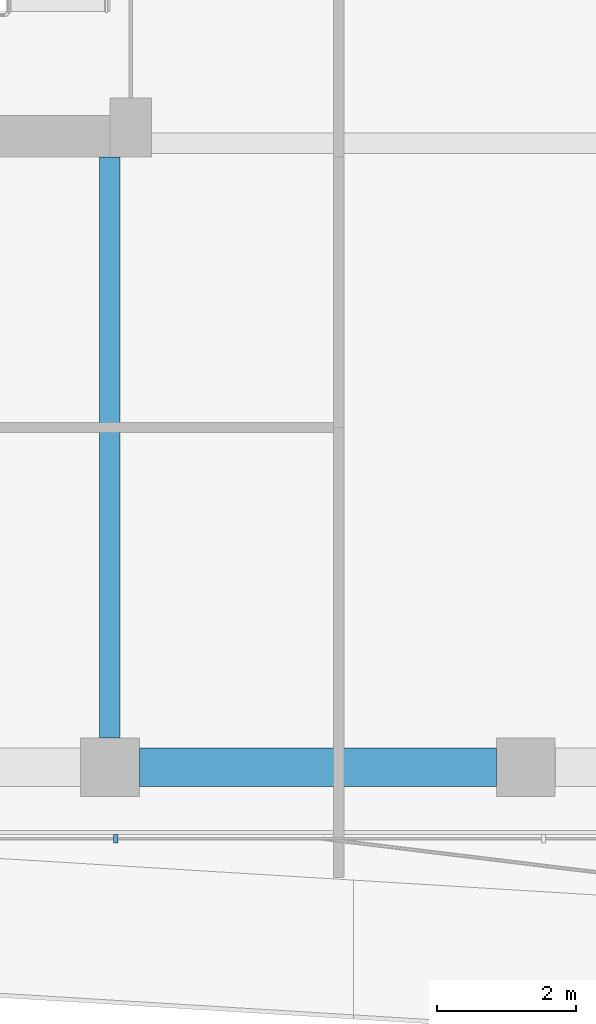
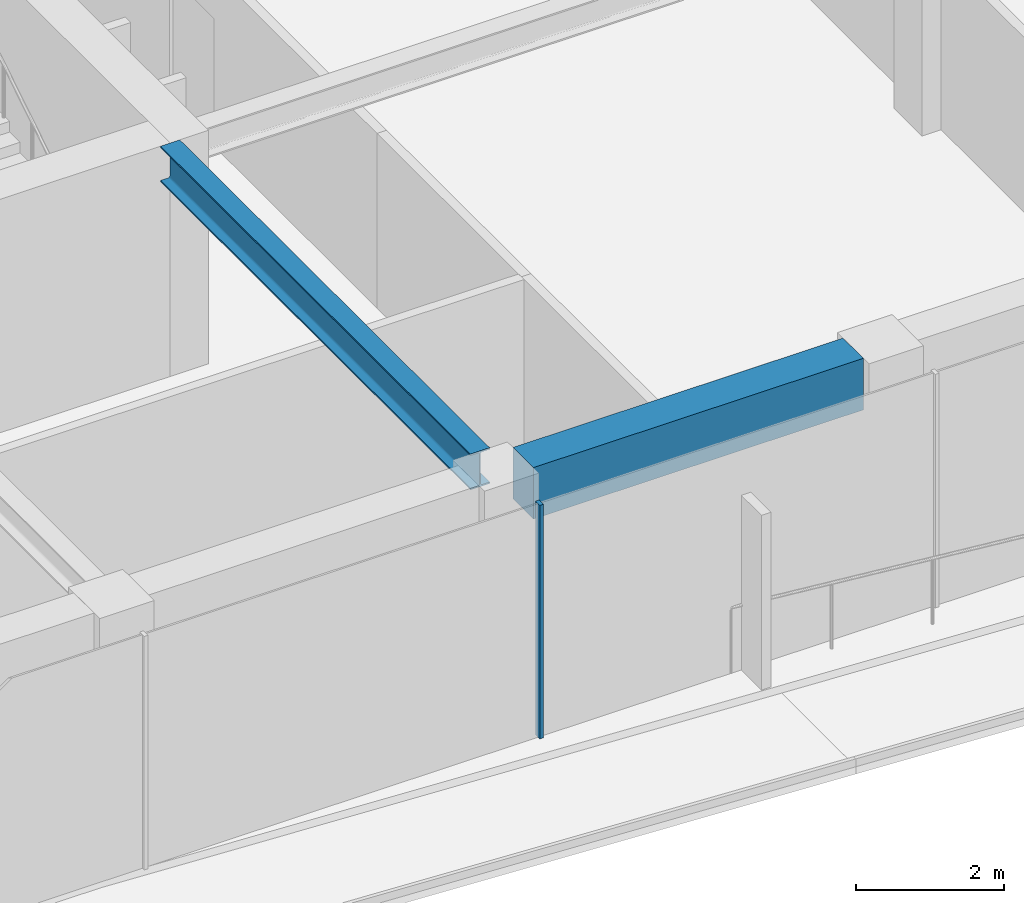
# One storey, part 4 of 22: 2 beams, 1 member, 1 element without a shape of its own.
"""IFC4 building model written with IfcOpenShell, lengths in metres."""

from ifc_helpers import new_model, si_unit, direction, frame, origin, origin_2d, place, context, subcontext, project, spatial, rectangle, i_section, extrude, material, layer, layer_set, material_profile, profile_set, type_object, element, aggregate, save


model = new_model("IFC4")

# Units and contexts
model_context = context("Model", 3, precision=1e-05, world=origin(), true_north=direction((0.0, 1.0)))
body_context = subcontext(model_context, "Body", "Model", "MODEL_VIEW")
ifc_project = project(units=[si_unit("LENGTHUNIT", "METRE"), si_unit("AREAUNIT", "SQUARE_METRE"), si_unit("VOLUMEUNIT", "CUBIC_METRE"), si_unit("PLANEANGLEUNIT", "RADIAN"), si_unit("MASSUNIT", "GRAM", prefix="KILO")], contexts=[model_context])

# Site, building, storey
site_placement = place(None, origin())
site = spatial("IfcSite", under=ifc_project, at=site_placement, CompositionType="ELEMENT")
building_placement = place(site_placement, origin())
building = spatial("IfcBuilding", under=site, at=building_placement, Name="Welwitschia Terrace Campus", CompositionType="ELEMENT")
storey_placement = place(building_placement, frame((0.0, 0.0, 155.0)))
storey = spatial("IfcBuildingStorey", under=building, at=storey_placement, Name="L34", CompositionType="ELEMENT", Elevation=155.0)

# Curtain wall, member
ifc_material_1 = material(Name="Bronze anodised aluminium", Category="aluminium")
ifc_layer = layer(ifc_material_1, 0.1201171875)
ifc_layer_set = layer_set([ifc_layer], Name="Bronze anodised aluminium")
curtain_wall_type = type_object("IfcCurtainWallType", Name="Curtain wall CW2 tower 6000", PredefinedType="NOTDEFINED", material=ifc_layer_set)
curtain_wall_placement = place(storey_placement, origin())
curtain_wall = element("IfcCurtainWall", 1, at=curtain_wall_placement, inside=storey, type_object=curtain_wall_type, Name="CW L34.2.0", PredefinedType="NOTDEFINED")
ifc_material_2 = material(Name="Bronze anodised aluminium", Category="aluminium")
ifc_material_profile_1 = material_profile(ifc_material_2, rectangle(XDim=0.1201171875, YDim=0.06005859375, at=origin_2d()))
ifc_profile_set_1 = profile_set([ifc_material_profile_1], Name="Bronze anodised aluminium")
member_type = type_object("IfcMemberType", Name="Mullion 60x120", PredefinedType="MULLION", material=ifc_profile_set_1)
member_placement = place(storey_placement, frame((24.08544921875, -5.030029296875, 0.0), z_axis=(0.0, 0.0, 1.0), x_axis=(0.0, 1.0, 0.0)))
member = element("IfcMember", 2, at=member_placement, type_object=member_type, Name="Mullion L34.2.0.3", PredefinedType="MULLION", context=body_context, shape_type="SweptSolid", body=[
    extrude(rectangle(XDim=0.1201171875, YDim=0.06005859375, at=origin_2d()), origin(), (0.0, 0.0, 1.0), 3.85009765625),
])
aggregate(curtain_wall, [member])

# Beams
ifc_material_3 = material(Name="Steel S355", Category="steel")
ifc_material_profile_2 = material_profile(ifc_material_3, i_section(OverallWidth=0.300048828125, OverallDepth=0.590087890625, WebThickness=0.012939453125, FlangeThickness=0.02490234375, FilletRadius=0.027099609375, at=origin_2d()))
ifc_profile_set_2 = profile_set([ifc_material_profile_2], Name="Steel S355")
beam_type_1 = type_object("IfcBeamType", Name="Primary beam HE 600 A", PredefinedType="BEAM", material=ifc_profile_set_2)
beam_1_placement = place(storey_placement, frame((24.0, -3.574462890625, 3.554931640625), z_axis=(0.0, 1.0, 0.0), x_axis=(-1.0, 0.0, 0.0)))
element("IfcBeam", 3, at=beam_1_placement, inside=storey, type_object=beam_type_1, Name="Primary beam PB4", PredefinedType="BEAM", context=body_context, shape_type="SweptSolid", body=[
    extrude(i_section(OverallWidth=0.300048828125, OverallDepth=0.590087890625, WebThickness=0.012939453125, FlangeThickness=0.02490234375, FilletRadius=0.027099609375, at=origin_2d()), origin(), (0.0, 0.0, 1.0), 8.37451171875),
])
ifc_material_4 = material(Name="Concrete C50/60", Category="concrete")
ifc_material_profile_3 = material_profile(ifc_material_4, rectangle(XDim=0.550048828125, YDim=0.85009765625, at=origin_2d()))
ifc_profile_set_3 = profile_set([ifc_material_profile_3], Name="Concrete C50/60")
beam_type_2 = type_object("IfcBeamType", Name="Ring spandrel 550x850", PredefinedType="SPANDREL", material=ifc_profile_set_3)
beam_2_placement = place(storey_placement, frame((24.425537109375, -4.0, 3.425048828125), z_axis=(1.0, 0.0, 0.0), x_axis=(0.0, 1.0, 0.0)))
element("IfcBeam", 4, at=beam_2_placement, inside=storey, type_object=beam_type_2, Name="Spandrel SP3", PredefinedType="SPANDREL", context=body_context, shape_type="SweptSolid", body=[
    extrude(rectangle(XDim=0.550048828125, YDim=0.85009765625, at=origin_2d()), origin(), (0.0, 0.0, 1.0), 5.14892578125),
])

save(model, "model.ifc")
